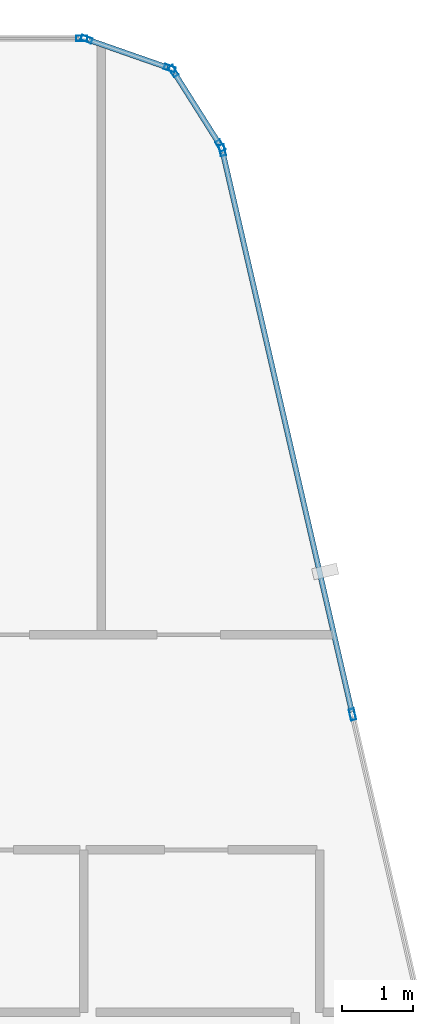
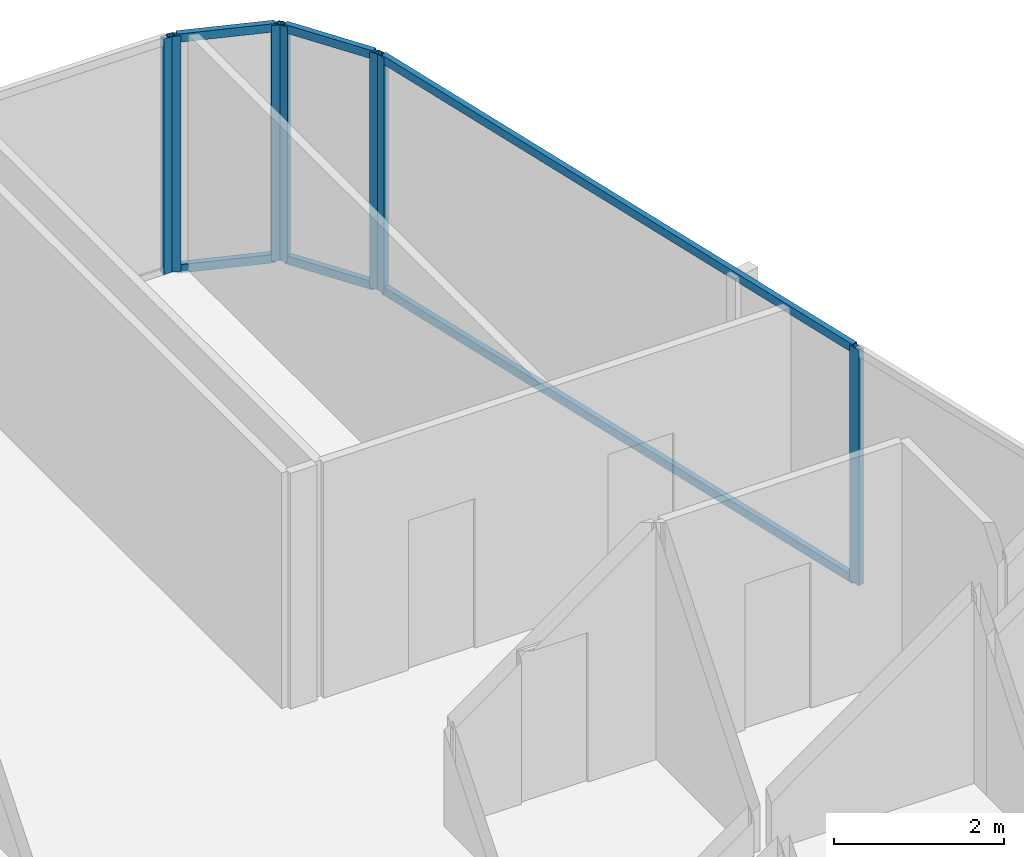
# One storey, part 19 of 28: 13 members, 4 elements without a shape of their own.
"""IFC4 building model written with IfcOpenShell, lengths in metres."""

from ifc_helpers import new_model, si_unit, direction, frame, origin, origin_2d, place, context, subcontext, project, spatial, hollow_rectangle, extrude, material, layer, layer_set, material_profile, profile_set, type_object, element, aggregate, save


model = new_model("IFC4")

# Units and contexts
model_context = context("Model", 3, precision=1e-05, world=origin(), true_north=direction((0.0, 1.0)))
body_context = subcontext(model_context, "Body", "Model", "MODEL_VIEW")
ifc_project = project(units=[si_unit("LENGTHUNIT", "METRE"), si_unit("AREAUNIT", "SQUARE_METRE"), si_unit("VOLUMEUNIT", "CUBIC_METRE"), si_unit("PLANEANGLEUNIT", "RADIAN"), si_unit("MASSUNIT", "GRAM", prefix="KILO")], contexts=[model_context])

# Site, building, storey
site_placement = place(None, origin())
site = spatial("IfcSite", under=ifc_project, at=site_placement, CompositionType="ELEMENT")
building_placement = place(site_placement, origin())
building = spatial("IfcBuilding", under=site, at=building_placement, Name="Keshet Zoharim Tower", CompositionType="ELEMENT")
storey_placement = place(building_placement, frame((0.0, 0.0, 265.800048828125)))
storey = spatial("IfcBuildingStorey", under=building, at=storey_placement, Name="L66", CompositionType="ELEMENT", Elevation=265.800048828125)

# Curtain wall, member
ifc_material = material(Name="Aluminium 6063-T6", Category="aluminium")
ifc_layer = layer(ifc_material, 0.260009765625)
ifc_layer_set = layer_set([ifc_layer], Name="Aluminium 6063-T6")
curtain_wall_type = type_object("IfcCurtainWallType", Name="CW-SYS-06", PredefinedType="NOTDEFINED", material=ifc_layer_set)
curtain_wall_1_placement = place(storey_placement, origin())
curtain_wall_1 = element("IfcCurtainWall", 1, at=curtain_wall_1_placement, inside=storey, type_object=curtain_wall_type, Name="L66 Unitised Curtain Wall 06 Part 5", PredefinedType="NOTDEFINED")
ifc_material_profile_1 = material_profile(ifc_material, hollow_rectangle(XDim=0.074951171875, YDim=0.159912109375, WallThickness=0.00390625, at=origin_2d()), Name="MUL-75x160")
ifc_profile_set_1 = profile_set([ifc_material_profile_1], Name="Aluminium 6063-T6")
member_type_1 = type_object("IfcMemberType", Name="CWM-M15", PredefinedType="MULLION", material=ifc_profile_set_1)
member_1_placement = place(storey_placement, frame((37.3740234375, 53.89990234375, 0.0), z_axis=(0.0, 0.0, 1.0), x_axis=(0.0, 1.0, 0.0)))
member_1 = element("IfcMember", 2, at=member_1_placement, type_object=member_type_1, Name="CW-06 mullion 2", PredefinedType="MULLION", context=body_context, shape_type="SweptSolid", body=[
    extrude(hollow_rectangle(XDim=0.074951171875, YDim=0.159912109375, WallThickness=0.00390625, at=origin_2d()), origin(), (0.0, 0.0, 1.0), 3.389892578125),
])
aggregate(curtain_wall_1, [member_1])

# Curtain wall, members
curtain_wall_2_placement = place(storey_placement, origin())
curtain_wall_2 = element("IfcCurtainWall", 3, at=curtain_wall_2_placement, inside=storey, type_object=curtain_wall_type, Name="L66 Unitised Curtain Wall 07", PredefinedType="NOTDEFINED")
member_2_placement = place(storey_placement, frame((37.442138671875, 53.888427734375, 0.0), z_axis=(0.0, 0.0, 1.0), x_axis=(0.329843743636, 0.944035542119, 0.0)))
member_2 = element("IfcMember", 4, at=member_2_placement, type_object=member_type_1, Name="CW-06 mullion 1", PredefinedType="MULLION", context=body_context, shape_type="SweptSolid", body=[
    extrude(hollow_rectangle(XDim=0.074951171875, YDim=0.159912109375, WallThickness=0.00390625, at=origin_2d()), origin(), (0.0, 0.0, 1.0), 3.389892578125),
])
member_3_placement = place(storey_placement, frame((38.620849609375, 53.4765625, 0.0), z_axis=(0.0, 0.0, 1.0), x_axis=(0.329843743636, 0.944035542119, 0.0)))
member_3 = element("IfcMember", 5, at=member_3_placement, type_object=member_type_1, Name="CW-06 mullion 2", PredefinedType="MULLION", context=body_context, shape_type="SweptSolid", body=[
    extrude(hollow_rectangle(XDim=0.074951171875, YDim=0.159912109375, WallThickness=0.00390625, at=origin_2d()), origin(), (0.0, 0.0, 1.0), 3.389892578125),
])

curtain_wall_3_placement = place(storey_placement, origin())
curtain_wall_3 = element("IfcCurtainWall", 6, at=curtain_wall_3_placement, inside=storey, type_object=curtain_wall_type, Name="L66 Unitised Curtain Wall 08", PredefinedType="NOTDEFINED")
member_4_placement = place(storey_placement, frame((38.672607421875, 53.435302734375, 0.0), z_axis=(0.0, 0.0, 1.0), x_axis=(0.845560976183, 0.533878858502, 0.0)))
member_4 = element("IfcMember", 7, at=member_4_placement, type_object=member_type_1, Name="CW-06 mullion 1", PredefinedType="MULLION", context=body_context, shape_type="SweptSolid", body=[
    extrude(hollow_rectangle(XDim=0.074951171875, YDim=0.159912109375, WallThickness=0.00390625, at=origin_2d()), origin(), (0.0, 0.0, 1.0), 3.389892578125),
])
member_5_placement = place(storey_placement, frame((39.33935546875, 52.379638671875, 0.0), z_axis=(0.0, 0.0, 1.0), x_axis=(0.845560976183, 0.533878858502, 0.0)))
member_5 = element("IfcMember", 8, at=member_5_placement, type_object=member_type_1, Name="CW-06 mullion 2", PredefinedType="MULLION", context=body_context, shape_type="SweptSolid", body=[
    extrude(hollow_rectangle(XDim=0.074951171875, YDim=0.159912109375, WallThickness=0.00390625, at=origin_2d()), origin(), (0.0, 0.0, 1.0), 3.389892578125),
])

curtain_wall_4_placement = place(storey_placement, origin())
curtain_wall_4 = element("IfcCurtainWall", 9, at=curtain_wall_4_placement, inside=storey, type_object=curtain_wall_type, Name="L66 Unitised Curtain Wall 09", PredefinedType="NOTDEFINED")
member_6_placement = place(storey_placement, frame((39.365966796875, 52.31591796875, 0.0), z_axis=(0.0, 0.0, 1.0), x_axis=(0.974398012932, 0.224829963294, 0.0)))
member_6 = element("IfcMember", 10, at=member_6_placement, type_object=member_type_1, Name="CW-06 mullion 1", PredefinedType="MULLION", context=body_context, shape_type="SweptSolid", body=[
    extrude(hollow_rectangle(XDim=0.074951171875, YDim=0.159912109375, WallThickness=0.00390625, at=origin_2d()), origin(), (0.0, 0.0, 1.0), 3.389892578125),
])
member_7_placement = place(storey_placement, frame((41.210693359375, 44.320556640625, 0.0), z_axis=(0.0, 0.0, 1.0), x_axis=(0.974398012932, 0.224829963294, 0.0)))
member_7 = element("IfcMember", 11, at=member_7_placement, type_object=member_type_1, Name="CW-06 mullion 2", PredefinedType="MULLION", context=body_context, shape_type="SweptSolid", body=[
    extrude(hollow_rectangle(XDim=0.074951171875, YDim=0.159912109375, WallThickness=0.00390625, at=origin_2d()), origin(), (0.0, 0.0, 1.0), 3.389892578125),
])

# Member
ifc_material_profile_2 = material_profile(ifc_material, hollow_rectangle(XDim=0.074951171875, YDim=0.1201171875, WallThickness=0.00390625, at=origin_2d()), Name="TRN-75x120")
ifc_profile_set_2 = profile_set([ifc_material_profile_2], Name="Aluminium 6063-T6")
member_type_2 = type_object("IfcMemberType", Name="CWT-T12", PredefinedType="USERDEFINED", material=ifc_profile_set_2)
member_8_placement = place(storey_placement, frame((37.47509765625, 53.876953125, 0.034912109375), z_axis=(0.944006789648, -0.329926023675, 0.0), x_axis=(0.329926023675, 0.944006789648, 0.0)))
member_8 = element("IfcMember", 12, at=member_8_placement, type_object=member_type_2, Name="CW-06 transom 1.1", ObjectType="TRANSOM", PredefinedType="USERDEFINED", context=body_context, shape_type="SweptSolid", body=[
    extrude(hollow_rectangle(XDim=0.074951171875, YDim=0.1201171875, WallThickness=0.00390625, at=origin_2d()), origin(), (0.0, 0.0, 1.0), 1.1787109375),
])

member_9_placement = place(storey_placement, frame((37.47509765625, 53.876953125, 3.35498046875), z_axis=(0.944006789648, -0.329926023675, 0.0), x_axis=(0.329926023675, 0.944006789648, 0.0)))
member_9 = element("IfcMember", 13, at=member_9_placement, type_object=member_type_2, Name="CW-06 transom 1.2", ObjectType="TRANSOM", PredefinedType="USERDEFINED", context=body_context, shape_type="SweptSolid", body=[
    extrude(hollow_rectangle(XDim=0.074951171875, YDim=0.1201171875, WallThickness=0.00390625, at=origin_2d()), origin(), (0.0, 0.0, 1.0), 1.1787109375),
])

aggregate(curtain_wall_2, [member_2, member_3, member_8, member_9])

member_10_placement = place(storey_placement, frame((38.69140625, 53.40576171875, 0.034912109375), z_axis=(0.53382931122, -0.845592257819, 0.0), x_axis=(0.845592257819, 0.53382931122, 0.0)))
member_10 = element("IfcMember", 14, at=member_10_placement, type_object=member_type_2, Name="CW-06 transom 1.1", ObjectType="TRANSOM", PredefinedType="USERDEFINED", context=body_context, shape_type="SweptSolid", body=[
    extrude(hollow_rectangle(XDim=0.074951171875, YDim=0.1201171875, WallThickness=0.00390625, at=origin_2d()), origin(), (0.0, 0.0, 1.0), 1.178466796875),
])

member_11_placement = place(storey_placement, frame((38.69140625, 53.40576171875, 3.35498046875), z_axis=(0.53382931122, -0.845592257819, 0.0), x_axis=(0.845592257819, 0.53382931122, 0.0)))
member_11 = element("IfcMember", 15, at=member_11_placement, type_object=member_type_2, Name="CW-06 transom 1.2", ObjectType="TRANSOM", PredefinedType="USERDEFINED", context=body_context, shape_type="SweptSolid", body=[
    extrude(hollow_rectangle(XDim=0.074951171875, YDim=0.1201171875, WallThickness=0.00390625, at=origin_2d()), origin(), (0.0, 0.0, 1.0), 1.178466796875),
])

aggregate(curtain_wall_3, [member_4, member_5, member_10, member_11])

member_12_placement = place(storey_placement, frame((39.373779296875, 52.28173828125, 0.034912109375), z_axis=(0.224835397421, -0.97439675906, 0.0), x_axis=(0.97439675906, 0.224835397421, 0.0)))
member_12 = element("IfcMember", 16, at=member_12_placement, type_object=member_type_2, Name="CW-06 transom 1.1", ObjectType="TRANSOM", PredefinedType="USERDEFINED", context=body_context, shape_type="SweptSolid", body=[
    extrude(hollow_rectangle(XDim=0.074951171875, YDim=0.1201171875, WallThickness=0.00390625, at=origin_2d()), origin(), (0.0, 0.0, 1.0), 8.13525390625),
])

member_13_placement = place(storey_placement, frame((39.373779296875, 52.28173828125, 3.35498046875), z_axis=(0.224835397421, -0.97439675906, 0.0), x_axis=(0.97439675906, 0.224835397421, 0.0)))
member_13 = element("IfcMember", 17, at=member_13_placement, type_object=member_type_2, Name="CW-06 transom 1.2", ObjectType="TRANSOM", PredefinedType="USERDEFINED", context=body_context, shape_type="SweptSolid", body=[
    extrude(hollow_rectangle(XDim=0.074951171875, YDim=0.1201171875, WallThickness=0.00390625, at=origin_2d()), origin(), (0.0, 0.0, 1.0), 8.13525390625),
])

aggregate(curtain_wall_4, [member_6, member_7, member_12, member_13])

save(model, "model.ifc")
